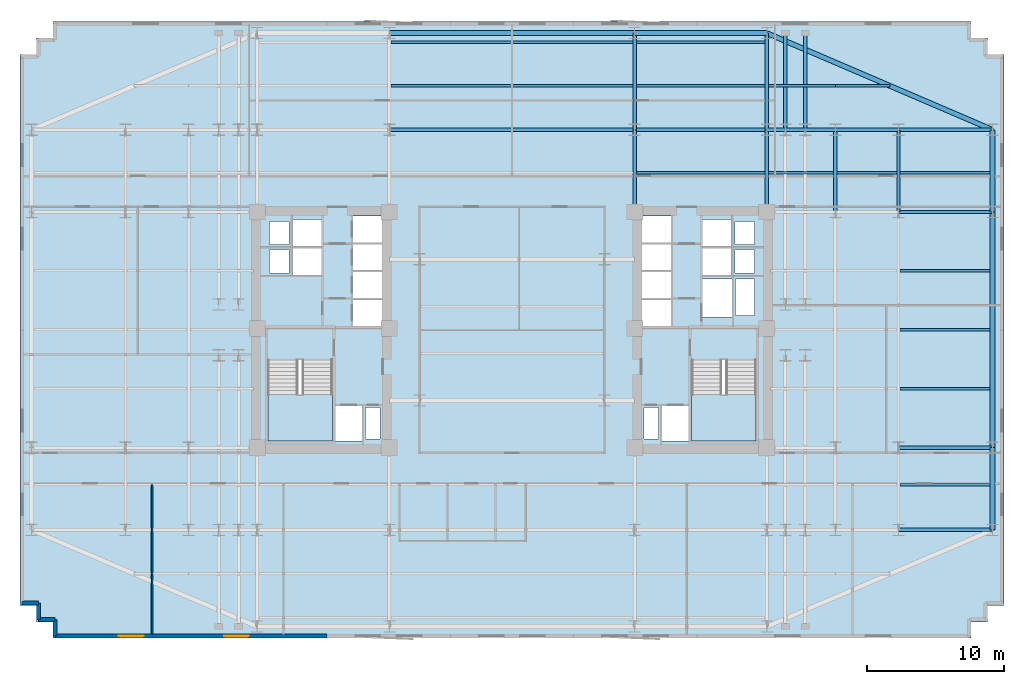
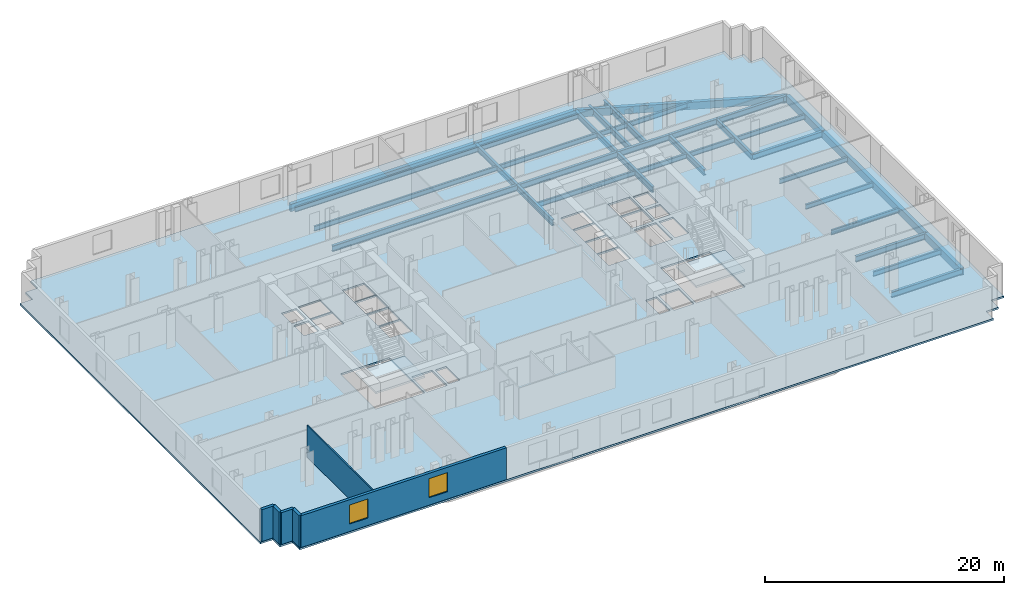
# One storey, part 3 of 10: 36 beams, 6 walls, 3 slabs, 2 windows, 2 openings, 2 elements without a shape of their own.
"""IFC4 building model written with IfcOpenShell, lengths in metres."""

from ifc_helpers import new_model, si_unit, direction, frame, frame_2d, origin, origin_2d, place, context, subcontext, project, spatial, polyline, rectangle, i_section, outline, extrude, material, layer, layer_set, material_profile, profile_set, type_object, element, fill, aggregate, save


model = new_model("IFC4")

# Units and contexts
model_context = context("Model", 3, precision=1e-05, world=origin(), true_north=direction((0.0, 1.0)))
body_context = subcontext(model_context, "Body", "Model", "MODEL_VIEW")
ifc_project = project(units=[si_unit("LENGTHUNIT", "METRE"), si_unit("AREAUNIT", "SQUARE_METRE"), si_unit("VOLUMEUNIT", "CUBIC_METRE"), si_unit("PLANEANGLEUNIT", "RADIAN"), si_unit("MASSUNIT", "GRAM", prefix="KILO")], contexts=[model_context])

# Site, building, storey
site_placement = place(None, origin())
site = spatial("IfcSite", under=ifc_project, at=site_placement, CompositionType="ELEMENT")
building_placement = place(site_placement, origin())
building = spatial("IfcBuilding", under=site, at=building_placement, Name="Velakula Bourse", CompositionType="ELEMENT")
storey_placement = place(building_placement, frame((0.0, 0.0, 51.89990234375)))
storey = spatial("IfcBuildingStorey", under=building, at=storey_placement, Name="L13", CompositionType="ELEMENT", Elevation=51.89990234375)

# Beams
ifc_material_1 = material(Name="Steel IS 2062 Grade 350 (E350)", Category="steel")
ifc_material_profile_1 = material_profile(ifc_material_1, i_section(OverallWidth=0.25, OverallDepth=0.60009765625, WebThickness=0.01171875, FlangeThickness=0.023681640625, at=origin_2d()), Name="Steel IS 2062 Grade 350 (E350)")
ifc_profile_set_1 = profile_set([ifc_material_profile_1], Name="Steel IS 2062 Grade 350 (E350)")
beam_type_1 = type_object("IfcBeamType", Name="BM-GRD-600H", PredefinedType="BEAM", material=ifc_profile_set_1)
for number, where, z_axis, x_axis, name in (
    (1, (8.949951171875, 8.60009765625, -0.47998046875), (0.0, 1.0, 0.0), (-1.0, 0.0, 0.0), "L13 Fulcrum Grid Girder FLC-ECN"),
    (2, (18.60009765625, 8.60009765625, -0.47998046875), (0.0, 1.0, 0.0), (-1.0, 0.0, 0.0), "L13 Fulcrum Grid Girder FLC-EN"),
):
    element("IfcBeam", number, at=place(storey_placement, frame(where, z_axis=z_axis, x_axis=x_axis)), inside=storey, type_object=beam_type_1, Name=name, PredefinedType="BEAM", context=body_context, shape_type="SweptSolid", body=[
        extrude(i_section(OverallWidth=0.25, OverallDepth=0.60009765625, WebThickness=0.01171875, FlangeThickness=0.023681640625, at=origin_2d()), origin(), (0.0, 0.0, 1.0), 6.0),
    ])
beam_1_placement = place(storey_placement, frame((-8.949951171875, 14.60009765625, -0.47998046875), z_axis=(1.0, 0.0, 0.0), x_axis=(0.0, 1.0, 0.0)))
element("IfcBeam", 3, at=beam_1_placement, inside=storey, type_object=beam_type_1, Name="L13 Fulcrum Grid Girder FLC-N2", PredefinedType="BEAM", context=body_context, shape_type="SweptSolid", body=[
    extrude(i_section(OverallWidth=0.25, OverallDepth=0.60009765625, WebThickness=0.01171875, FlangeThickness=0.023681640625, at=origin_2d()), origin(), (0.0, 0.0, 1.0), 17.89990234375),
])
beam_2_placement = place(storey_placement, frame((8.949951171875, 14.60009765625, -0.47998046875), z_axis=(1.0, 0.0, 0.0), x_axis=(0.0, 1.0, 0.0)))
element("IfcBeam", 4, at=beam_2_placement, inside=storey, type_object=beam_type_1, Name="L13 Fulcrum Grid Girder FLC-N3", PredefinedType="BEAM", context=body_context, shape_type="SweptSolid", body=[
    extrude(i_section(OverallWidth=0.25, OverallDepth=0.60009765625, WebThickness=0.01171875, FlangeThickness=0.023681640625, at=origin_2d()), origin(), (0.0, 0.0, 1.0), 9.650146484375),
])
beam_3_placement = place(storey_placement, frame((18.60009765625, 14.60009765625, -0.47998046875), z_axis=(1.0, 0.0, 0.0), x_axis=(0.0, 1.0, 0.0)))
element("IfcBeam", 5, at=beam_3_placement, inside=storey, type_object=beam_type_1, Name="L13 Fulcrum Grid Girder MWG-EN2", PredefinedType="BEAM", context=body_context, shape_type="SweptSolid", body=[
    extrude(i_section(OverallWidth=0.25, OverallDepth=0.60009765625, WebThickness=0.01171875, FlangeThickness=0.023681640625, at=origin_2d()), origin(), (0.0, 0.0, 1.0), 5.0),
])
beam_4_placement = place(storey_placement, frame((23.60009765625, 8.60009765625, -0.47998046875), z_axis=(0.0, 1.0, 0.0), x_axis=(-1.0, 0.0, 0.0)))
element("IfcBeam", 6, at=beam_4_placement, inside=storey, type_object=beam_type_1, Name="L13 Fulcrum Grid Girder MWG-ENS3", PredefinedType="BEAM", context=body_context, shape_type="SweptSolid", body=[
    extrude(i_section(OverallWidth=0.25, OverallDepth=0.60009765625, WebThickness=0.01171875, FlangeThickness=0.023681640625, at=origin_2d()), origin(), (0.0, 0.0, 1.0), 6.0),
])
beam_5_placement = place(storey_placement, frame((23.60009765625, 14.60009765625, -0.47998046875), z_axis=(1.0, 0.0, 0.0), x_axis=(0.0, 1.0, 0.0)))
element("IfcBeam", 7, at=beam_5_placement, inside=storey, type_object=beam_type_1, Name="L13 Fulcrum Grid Girder WNG-EN2", PredefinedType="BEAM", context=body_context, shape_type="SweptSolid", body=[
    extrude(i_section(OverallWidth=0.25, OverallDepth=0.60009765625, WebThickness=0.01171875, FlangeThickness=0.023681640625, at=origin_2d()), origin(), (0.0, 0.0, 1.0), 4.599853515625),
])
beam_6_placement = place(storey_placement, frame((28.199951171875, 8.60009765625, -0.47998046875), z_axis=(0.0, 1.0, 0.0), x_axis=(-1.0, 0.0, 0.0)))
element("IfcBeam", 8, at=beam_6_placement, inside=storey, type_object=beam_type_1, Name="L13 Fulcrum Grid Girder WNG-ENS3", PredefinedType="BEAM", context=body_context, shape_type="SweptSolid", body=[
    extrude(i_section(OverallWidth=0.25, OverallDepth=0.60009765625, WebThickness=0.01171875, FlangeThickness=0.023681640625, at=origin_2d()), origin(), (0.0, 0.0, 1.0), 6.0),
])
for number, where, z_axis, x_axis, name in (
    (9, (8.949951171875, 14.60009765625, -0.47998046875), (0.0, 1.0, 0.0), (-1.0, 0.0, 0.0), "L13 Perimeter Tie Girder N3"),
    (10, (18.60009765625, 14.60009765625, -0.47998046875), (0.0, 1.0, 0.0), (-1.0, 0.0, 0.0), "L13 Perimeter Tie Girder N4"),
):
    element("IfcBeam", number, at=place(storey_placement, frame(where, z_axis=z_axis, x_axis=x_axis)), inside=storey, type_object=beam_type_1, Name=name, PredefinedType="BEAM", context=body_context, shape_type="SweptSolid", body=[
        extrude(i_section(OverallWidth=0.25, OverallDepth=0.60009765625, WebThickness=0.01171875, FlangeThickness=0.023681640625, at=origin_2d()), origin(), (0.0, 0.0, 1.0), 7.0498046875),
    ])
for number, where, z_axis, x_axis, name in (
    (11, (28.199951171875, -14.60009765625, -0.47998046875), (1.0, 0.0, 0.0), (0.0, 1.0, 0.0), "L13 Perimeter Tie Girder E1"),
    (12, (28.199951171875, -8.60009765625, -0.47998046875), (1.0, 0.0, 0.0), (0.0, 1.0, 0.0), "L13 Perimeter Tie Girder E2"),
    (13, (28.199951171875, 8.60009765625, -0.47998046875), (1.0, 0.0, 0.0), (0.0, 1.0, 0.0), "L13 Perimeter Tie Girder E3"),
    (14, (28.199951171875, 14.60009765625, -0.47998046875), (1.0, 0.0, 0.0), (0.0, 1.0, 0.0), "L13 Perimeter Tie Girder E4"),
):
    element("IfcBeam", number, at=place(storey_placement, frame(where, z_axis=z_axis, x_axis=x_axis)), inside=storey, type_object=beam_type_1, Name=name, PredefinedType="BEAM", context=body_context, shape_type="SweptSolid", body=[
        extrude(i_section(OverallWidth=0.25, OverallDepth=0.60009765625, WebThickness=0.01171875, FlangeThickness=0.023681640625, at=origin_2d()), origin(), (0.0, 0.0, 1.0), 6.85009765625),
    ])
for number, where, z_axis, x_axis, name in (
    (15, (19.949951171875, 14.60009765625, -0.47998046875), (0.0, 1.0, 0.0), (-1.0, 0.0, 0.0), "L13 Perimeter Tie Girder P07"),
    (16, (21.39990234375, 14.60009765625, -0.47998046875), (0.0, 1.0, 0.0), (-1.0, 0.0, 0.0), "L13 Perimeter Tie Girder P08"),
):
    element("IfcBeam", number, at=place(storey_placement, frame(where, z_axis=z_axis, x_axis=x_axis)), inside=storey, type_object=beam_type_1, Name=name, PredefinedType="BEAM", context=body_context, shape_type="SweptSolid", body=[
        extrude(i_section(OverallWidth=0.25, OverallDepth=0.60009765625, WebThickness=0.01171875, FlangeThickness=0.023681640625, at=origin_2d()), origin(), (0.0, 0.0, 1.0), 7.0498046875),
    ])
ifc_material_profile_2 = material_profile(ifc_material_1, i_section(OverallWidth=0.179931640625, OverallDepth=0.5, WebThickness=0.01025390625, FlangeThickness=0.01708984375, at=origin_2d()), Name="Steel IS 2062 Grade 350 (E350)")
ifc_profile_set_2 = profile_set([ifc_material_profile_2], Name="Steel IS 2062 Grade 350 (E350)")
beam_type_2 = type_object("IfcBeamType", Name="JST-TWR-500", PredefinedType="JOIST", material=ifc_profile_set_2)
beam_7_placement = place(storey_placement, frame((28.324951171875, -11.300048828125, -0.429931640625), z_axis=(1.0, 0.0, 0.0), x_axis=(0.0, 1.0, 0.0)))
element("IfcBeam", 17, at=beam_7_placement, inside=storey, type_object=beam_type_2, Name="L13 Trading Floor Composite Joist 19", PredefinedType="JOIST", context=body_context, shape_type="SweptSolid", body=[
    extrude(i_section(OverallWidth=0.179931640625, OverallDepth=0.5, WebThickness=0.01025390625, FlangeThickness=0.01708984375, at=origin_2d()), origin(), (0.0, 0.0, 1.0), 6.550048828125),
])
beam_8_placement = place(storey_placement, frame((9.074951171875, 11.449951171875, -0.429931640625), z_axis=(1.0, 0.0, 0.0), x_axis=(0.0, 1.0, 0.0)))
element("IfcBeam", 18, at=beam_8_placement, inside=storey, type_object=beam_type_2, Name="L13 Trading Floor Composite Joist 25", PredefinedType="JOIST", context=body_context, shape_type="SweptSolid", body=[
    extrude(i_section(OverallWidth=0.179931640625, OverallDepth=0.5, WebThickness=0.01025390625, FlangeThickness=0.01708984375, at=origin_2d()), origin(), (0.0, 0.0, 1.0), 9.400146484375),
])
beam_9_placement = place(storey_placement, frame((18.72509765625, 11.449951171875, -0.429931640625), z_axis=(1.0, 0.0, 0.0), x_axis=(0.0, 1.0, 0.0)))
element("IfcBeam", 19, at=beam_9_placement, inside=storey, type_object=beam_type_2, Name="L13 Trading Floor Composite Joist 26", PredefinedType="JOIST", context=body_context, shape_type="SweptSolid", body=[
    extrude(i_section(OverallWidth=0.179931640625, OverallDepth=0.5, WebThickness=0.01025390625, FlangeThickness=0.01708984375, at=origin_2d()), origin(), (0.0, 0.0, 1.0), 4.75),
])
beam_10_placement = place(storey_placement, frame((23.72509765625, 11.449951171875, -0.429931640625), z_axis=(1.0, 0.0, 0.0), x_axis=(0.0, 1.0, 0.0)))
element("IfcBeam", 20, at=beam_10_placement, inside=storey, type_object=beam_type_2, Name="L13 Trading Floor Composite Joist 27", PredefinedType="JOIST", context=body_context, shape_type="SweptSolid", body=[
    extrude(i_section(OverallWidth=0.179931640625, OverallDepth=0.5, WebThickness=0.01025390625, FlangeThickness=0.01708984375, at=origin_2d()), origin(), (0.0, 0.0, 1.0), 4.349853515625),
])
beam_11_placement = place(storey_placement, frame((28.324951171875, 11.449951171875, -0.429931640625), z_axis=(1.0, 0.0, 0.0), x_axis=(0.0, 1.0, 0.0)))
element("IfcBeam", 21, at=beam_11_placement, inside=storey, type_object=beam_type_2, Name="L13 Trading Floor Composite Joist 28", PredefinedType="JOIST", context=body_context, shape_type="SweptSolid", body=[
    extrude(i_section(OverallWidth=0.179931640625, OverallDepth=0.5, WebThickness=0.01025390625, FlangeThickness=0.01708984375, at=origin_2d()), origin(), (0.0, 0.0, 1.0), 6.550048828125),
])
beam_12_placement = place(storey_placement, frame((-8.824951171875, 17.800048828125, -0.429931640625), z_axis=(1.0, 0.0, 0.0), x_axis=(0.0, 1.0, 0.0)))
element("IfcBeam", 22, at=beam_12_placement, inside=storey, type_object=beam_type_2, Name="L13 Trading Floor Composite Joist 32", PredefinedType="JOIST", context=body_context, shape_type="SweptSolid", body=[
    extrude(i_section(OverallWidth=0.179931640625, OverallDepth=0.5, WebThickness=0.01025390625, FlangeThickness=0.01708984375, at=origin_2d()), origin(), (0.0, 0.0, 1.0), 17.64990234375),
])
beam_13_placement = place(storey_placement, frame((9.074951171875, 17.800048828125, -0.429931640625), z_axis=(1.0, 0.0, 0.0), x_axis=(0.0, 1.0, 0.0)))
element("IfcBeam", 23, at=beam_13_placement, inside=storey, type_object=beam_type_2, Name="L13 Trading Floor Composite Joist 33", PredefinedType="JOIST", context=body_context, shape_type="SweptSolid", body=[
    extrude(i_section(OverallWidth=0.179931640625, OverallDepth=0.5, WebThickness=0.01025390625, FlangeThickness=0.01708984375, at=origin_2d()), origin(), (0.0, 0.0, 1.0), 9.400146484375),
])
beam_14_placement = place(storey_placement, frame((18.72509765625, 17.800048828125, -0.429931640625), z_axis=(1.0, 0.0, 0.0), x_axis=(0.0, 1.0, 0.0)))
element("IfcBeam", 24, at=beam_14_placement, inside=storey, type_object=beam_type_2, Name="L13 Trading Floor Composite Joist 34", PredefinedType="JOIST", context=body_context, shape_type="SweptSolid", body=[
    extrude(i_section(OverallWidth=0.179931640625, OverallDepth=0.5, WebThickness=0.01025390625, FlangeThickness=0.01708984375, at=origin_2d()), origin(), (0.0, 0.0, 1.0), 4.875),
])
beam_15_placement = place(storey_placement, frame((23.60009765625, 17.800048828125, -0.429931640625), z_axis=(1.0, 0.0, 0.0), x_axis=(0.0, 1.0, 0.0)))
element("IfcBeam", 25, at=beam_15_placement, inside=storey, type_object=beam_type_2, Name="L13 Trading Floor Composite Joist 35", PredefinedType="JOIST", context=body_context, shape_type="SweptSolid", body=[
    extrude(i_section(OverallWidth=0.179931640625, OverallDepth=0.5, WebThickness=0.01025390625, FlangeThickness=0.01708984375, at=origin_2d()), origin(), (0.0, 0.0, 1.0), 3.983154296875),
])
beam_16_placement = place(storey_placement, frame((-8.824951171875, 21.0, -0.429931640625), z_axis=(1.0, 0.0, 0.0), x_axis=(0.0, 1.0, 0.0)))
element("IfcBeam", 26, at=beam_16_placement, inside=storey, type_object=beam_type_2, Name="L13 Trading Floor Composite Joist 37", PredefinedType="JOIST", context=body_context, shape_type="SweptSolid", body=[
    extrude(i_section(OverallWidth=0.179931640625, OverallDepth=0.5, WebThickness=0.01025390625, FlangeThickness=0.01708984375, at=origin_2d()), origin(), (0.0, 0.0, 1.0), 17.64990234375),
])
beam_17_placement = place(storey_placement, frame((9.074951171875, 21.0, -0.429931640625), z_axis=(1.0, 0.0, 0.0), x_axis=(0.0, 1.0, 0.0)))
element("IfcBeam", 27, at=beam_17_placement, inside=storey, type_object=beam_type_2, Name="L13 Trading Floor Composite Joist 38", PredefinedType="JOIST", context=body_context, shape_type="SweptSolid", body=[
    extrude(i_section(OverallWidth=0.179931640625, OverallDepth=0.5, WebThickness=0.01025390625, FlangeThickness=0.01708984375, at=origin_2d()), origin(), (0.0, 0.0, 1.0), 9.400146484375),
])
for number, where, z_axis, x_axis, name in (
    (28, (28.324951171875, -4.300048828125, -0.429931640625), (1.0, 0.0, 0.0), (0.0, 1.0, 0.0), "L13 Trading Floor Composite Joist 46"),
    (29, (28.324951171875, 0.0, -0.429931640625), (1.0, 0.0, 0.0), (0.0, 1.0, 0.0), "L13 Trading Floor Composite Joist 52"),
    (30, (28.324951171875, 4.300048828125, -0.429931640625), (1.0, 0.0, 0.0), (0.0, 1.0, 0.0), "L13 Trading Floor Composite Joist 58"),
):
    element("IfcBeam", number, at=place(storey_placement, frame(where, z_axis=z_axis, x_axis=x_axis)), inside=storey, type_object=beam_type_2, Name=name, PredefinedType="JOIST", context=body_context, shape_type="SweptSolid", body=[
        extrude(i_section(OverallWidth=0.179931640625, OverallDepth=0.5, WebThickness=0.01025390625, FlangeThickness=0.01708984375, at=origin_2d()), origin(), (0.0, 0.0, 1.0), 6.550048828125),
    ])
ifc_material_2 = material(Name="Precast concrete M45 (fck 45 MPa)", Category="concrete")
ifc_material_profile_3 = material_profile(ifc_material_2, rectangle(XDim=0.35009765625, YDim=0.75, at=origin_2d()), Name="Precast concrete M45 (fck 45 MPa)")
ifc_profile_set_3 = profile_set([ifc_material_profile_3], Name="Precast concrete M45 (fck 45 MPa)")
beam_type_3 = type_object("IfcBeamType", Name="SPN-BRICK-750", PredefinedType="SPANDREL", material=ifc_profile_set_3)
beam_18_placement = place(storey_placement, frame((-8.949951171875, 21.64990234375, -0.554931640625), z_axis=(1.0, 0.0, 0.0), x_axis=(0.0, 1.0, 0.0)))
element("IfcBeam", 31, at=beam_18_placement, inside=storey, type_object=beam_type_3, Name="L13 Brick-Faced Precast Spandrel N2-N3", PredefinedType="SPANDREL", context=body_context, shape_type="SweptSolid", body=[
    extrude(rectangle(XDim=0.35009765625, YDim=0.75, at=origin_2d()), origin(), (0.0, 0.0, 1.0), 17.89990234375),
])
beam_19_placement = place(storey_placement, frame((8.949951171875, 21.64990234375, -0.554931640625), z_axis=(1.0, 0.0, 0.0), x_axis=(0.0, 1.0, 0.0)))
element("IfcBeam", 32, at=beam_19_placement, inside=storey, type_object=beam_type_3, Name="L13 Brick-Faced Precast Spandrel N3-N4", PredefinedType="SPANDREL", context=body_context, shape_type="SweptSolid", body=[
    extrude(rectangle(XDim=0.35009765625, YDim=0.75, at=origin_2d()), origin(), (0.0, 0.0, 1.0), 9.650146484375),
])
beam_20_placement = place(storey_placement, frame((35.050048828125, -14.60009765625, -0.554931640625), z_axis=(0.0, 1.0, 0.0), x_axis=(-1.0, 0.0, 0.0)))
element("IfcBeam", 33, at=beam_20_placement, inside=storey, type_object=beam_type_3, Name="L13 Brick-Faced Precast Spandrel E1-E2", PredefinedType="SPANDREL", context=body_context, shape_type="SweptSolid", body=[
    extrude(rectangle(XDim=0.35009765625, YDim=0.75, at=origin_2d()), origin(), (0.0, 0.0, 1.0), 6.0),
])
beam_21_placement = place(storey_placement, frame((35.050048828125, -8.60009765625, -0.554931640625), z_axis=(0.0, 1.0, 0.0), x_axis=(-1.0, 0.0, 0.0)))
element("IfcBeam", 34, at=beam_21_placement, inside=storey, type_object=beam_type_3, Name="L13 Brick-Faced Precast Spandrel E2-E3", PredefinedType="SPANDREL", context=body_context, shape_type="SweptSolid", body=[
    extrude(rectangle(XDim=0.35009765625, YDim=0.75, at=origin_2d()), origin(), (0.0, 0.0, 1.0), 17.2001953125),
])
beam_22_placement = place(storey_placement, frame((35.050048828125, 8.60009765625, -0.554931640625), z_axis=(0.0, 1.0, 0.0), x_axis=(-1.0, 0.0, 0.0)))
element("IfcBeam", 35, at=beam_22_placement, inside=storey, type_object=beam_type_3, Name="L13 Brick-Faced Precast Spandrel E3-E4", PredefinedType="SPANDREL", context=body_context, shape_type="SweptSolid", body=[
    extrude(rectangle(XDim=0.35009765625, YDim=0.75, at=origin_2d()), origin(), (0.0, 0.0, 1.0), 6.0),
])
beam_23_placement = place(storey_placement, frame((35.050048828125, 14.60009765625, -0.554931640625), z_axis=(-0.919148557947, 0.393911066642, 0.0), x_axis=(-0.393911066642, -0.919148557947, 0.0)))
element("IfcBeam", 36, at=beam_23_placement, inside=storey, type_object=beam_type_3, Name="L13 Brick-Faced Precast Spandrel E4-N4", PredefinedType="SPANDREL", context=body_context, shape_type="SweptSolid", body=[
    extrude(rectangle(XDim=0.35009765625, YDim=0.75, at=origin_2d()), origin(), (0.0, 0.0, 1.0), 17.89697265625),
])

# Stair, slab
ifc_material_3 = material(Name="Concrete M45 (fck 45 MPa)", Category="concrete")
stair_type = type_object("IfcStairType", Name="STR-DOG-390", PredefinedType="HALF_TURN_STAIR", material=ifc_material_3)
stair_1_placement = place(storey_placement, origin())
stair_1 = element("IfcStair", 37, at=stair_1_placement, inside=storey, type_object=stair_type, Name="L13 West Core Exit Stair ST-W1", PredefinedType="HALF_TURN_STAIR")
ifc_layer_1 = layer(ifc_material_3, 0.199951171875, Name="Concrete M45 (fck 45 MPa)", Category="concrete")
ifc_layer_set_1 = layer_set([ifc_layer_1], Name="Concrete M45 (fck 45 MPa)")
slab_type_1 = type_object("IfcSlabType", Name="SLB-STAIR-LND-200", PredefinedType="LANDING", material=ifc_layer_set_1)
slab_1_placement = place(storey_placement, frame((0.0, 0.0, 1.525146484375)))
slab_1 = element("IfcSlab", 38, at=slab_1_placement, type_object=slab_type_1, Name="ST-W1 landing 1", PredefinedType="LANDING", context=body_context, shape_type="SweptSolid", body=[
    extrude(outline(polyline([(-17.820068359375, -4.719970703125), (-17.820068359375, -8.10009765625), (-13.10009765625, -8.10009765625), (-13.10009765625, -4.719970703125), (-17.820068359375, -4.719970703125)])), origin(), (0.0, 0.0, 1.0), 0.199951171875),
])
aggregate(stair_1, [slab_1])

stair_2_placement = place(storey_placement, origin())
stair_2 = element("IfcStair", 39, at=stair_2_placement, inside=storey, type_object=stair_type, Name="L13 East Core Exit Stair ST-E1", PredefinedType="HALF_TURN_STAIR")
slab_2_placement = place(storey_placement, frame((0.0, 0.0, 1.525146484375)))
slab_2 = element("IfcSlab", 40, at=slab_2_placement, type_object=slab_type_1, Name="ST-E1 landing 1", PredefinedType="LANDING", context=body_context, shape_type="SweptSolid", body=[
    extrude(outline(polyline([(13.10009765625, -4.719970703125), (13.10009765625, -8.10009765625), (17.820068359375, -8.10009765625), (17.820068359375, -4.719970703125), (13.10009765625, -4.719970703125)])), origin(), (0.0, 0.0, 1.0), 0.199951171875),
])
aggregate(stair_2, [slab_2])

# Slab
ifc_material_4 = material(Name="Concrete M50 (fck 50 MPa)", Category="concrete")
ifc_layer_2 = layer(ifc_material_4, 0.179931640625, Name="Concrete M50 (fck 50 MPa)", Category="concrete")
ifc_layer_set_2 = layer_set([ifc_layer_2], Name="Concrete M50 (fck 50 MPa)")
slab_type_2 = type_object("IfcSlabType", Name="SLB-TWR-180", PredefinedType="FLOOR", material=ifc_layer_set_2)
slab_3_placement = place(storey_placement, frame((0.0, 0.0, -0.179931640625)))
element("IfcSlab", 41, at=slab_3_placement, inside=storey, type_object=slab_type_2, Name="L13 Suspended Structural Floor Slab", PredefinedType="FLOOR", context=body_context, shape_type="SweptSolid", body=[
    extrude(outline(polyline([(-33.5, -22.5), (33.5, -22.5), (33.5, -21.300048828125), (34.699951171875, -21.300048828125), (34.699951171875, -20.10009765625), (35.89990234375, -20.10009765625), (35.89990234375, 20.10009765625), (34.699951171875, 20.10009765625), (34.699951171875, 21.300048828125), (33.5, 21.300048828125), (33.5, 22.5), (-33.5, 22.5), (-33.5, 21.300048828125), (-34.699951171875, 21.300048828125), (-34.699951171875, 20.10009765625), (-35.89990234375, 20.10009765625), (-35.89990234375, -20.10009765625), (-34.699951171875, -20.10009765625), (-34.699951171875, -21.300048828125), (-33.5, -21.300048828125), (-33.5, -22.5)]), holes=[polyline([(-17.820068359375, -8.10009765625), (-13.10009765625, -8.10009765625), (-13.10009765625, -2.199951171875), (-17.820068359375, -2.199951171875), (-17.820068359375, -8.10009765625)]), polyline([(13.10009765625, -8.10009765625), (17.820068359375, -8.10009765625), (17.820068359375, -2.199951171875), (13.10009765625, -2.199951171875), (13.10009765625, -8.10009765625)]), polyline([(-12.89990234375, -8.10009765625), (-10.949951171875, -8.10009765625), (-10.949951171875, -5.550048828125), (-12.89990234375, -5.550048828125), (-12.89990234375, -8.10009765625)]), polyline([(10.949951171875, -8.10009765625), (12.89990234375, -8.10009765625), (12.89990234375, -5.550048828125), (10.949951171875, -5.550048828125), (10.949951171875, -8.10009765625)]), polyline([(13.89990234375, 0.919921875), (16.050048828125, 0.919921875), (16.050048828125, 3.719970703125), (13.89990234375, 3.719970703125), (13.89990234375, 0.919921875)]), polyline([(-10.679931640625, -7.97998046875), (-9.6201171875, -7.97998046875), (-9.6201171875, -5.669921875), (-10.679931640625, -5.669921875), (-10.679931640625, -7.97998046875)]), polyline([(-17.679931640625, 4.139892578125), (-16.27001953125, 4.139892578125), (-16.27001953125, 5.85009765625), (-17.679931640625, 5.85009765625), (-17.679931640625, 4.139892578125)]), polyline([(-17.679931640625, 6.2099609375), (-16.27001953125, 6.2099609375), (-16.27001953125, 7.919921875), (-17.679931640625, 7.919921875), (-17.679931640625, 6.2099609375)]), polyline([(9.6201171875, -7.97998046875), (10.679931640625, -7.97998046875), (10.679931640625, -5.669921875), (9.6201171875, -5.669921875), (9.6201171875, -7.97998046875)]), polyline([(16.27001953125, 4.139892578125), (17.679931640625, 4.139892578125), (17.679931640625, 5.85009765625), (16.27001953125, 5.85009765625), (16.27001953125, 4.139892578125)]), polyline([(16.27001953125, 6.2099609375), (17.679931640625, 6.2099609375), (17.679931640625, 7.919921875), (16.27001953125, 7.919921875), (16.27001953125, 6.2099609375)]), polyline([(16.320068359375, 1.0400390625), (17.679931640625, 1.0400390625), (17.679931640625, 3.699951171875), (16.320068359375, 3.699951171875), (16.320068359375, 1.0400390625)]), polyline([(-11.60009765625, 0.280029296875), (-9.5, 0.280029296875), (-9.5, 2.199951171875), (-11.60009765625, 2.199951171875), (-11.60009765625, 0.280029296875)]), polyline([(-11.60009765625, 2.31005859375), (-9.5, 2.31005859375), (-9.5, 4.22998046875), (-11.60009765625, 4.22998046875), (-11.60009765625, 2.31005859375)]), polyline([(-11.60009765625, 4.340087890625), (-9.5, 4.340087890625), (-9.5, 6.260009765625), (-11.60009765625, 6.260009765625), (-11.60009765625, 4.340087890625)]), polyline([(-11.60009765625, 6.3701171875), (-9.5, 6.3701171875), (-9.5, 8.2900390625), (-11.60009765625, 8.2900390625), (-11.60009765625, 6.3701171875)]), polyline([(9.5, 0.280029296875), (11.60009765625, 0.280029296875), (11.60009765625, 2.199951171875), (9.5, 2.199951171875), (9.5, 0.280029296875)]), polyline([(9.5, 2.31005859375), (11.60009765625, 2.31005859375), (11.60009765625, 4.22998046875), (9.5, 4.22998046875), (9.5, 2.31005859375)]), polyline([(9.5, 4.340087890625), (11.60009765625, 4.340087890625), (11.60009765625, 6.260009765625), (9.5, 6.260009765625), (9.5, 4.340087890625)]), polyline([(9.5, 6.3701171875), (11.60009765625, 6.3701171875), (11.60009765625, 8.2900390625), (9.5, 8.2900390625), (9.5, 6.3701171875)]), polyline([(-16.0, 4.02001953125), (-13.89990234375, 4.02001953125), (-13.89990234375, 5.969970703125), (-16.0, 5.969970703125), (-16.0, 4.02001953125)]), polyline([(-16.0, 6.090087890625), (-13.89990234375, 6.090087890625), (-13.89990234375, 8.0400390625), (-16.0, 8.0400390625), (-16.0, 6.090087890625)]), polyline([(13.89990234375, 4.02001953125), (16.0, 4.02001953125), (16.0, 5.969970703125), (13.89990234375, 5.969970703125), (13.89990234375, 4.02001953125)]), polyline([(13.89990234375, 6.090087890625), (16.0, 6.090087890625), (16.0, 8.0400390625), (13.89990234375, 8.0400390625), (13.89990234375, 6.090087890625)])]), origin(), (0.0, 0.0, 1.0), 0.179931640625),
])

# Wall, openings, windows
ifc_material_5 = material(Name="Red kilned clay facing brick masonry", Category="masonry")
ifc_layer_3 = layer(ifc_material_5, 0.280029296875, Name="Red kilned clay facing brick masonry", Category="masonry")
ifc_layer_set_3 = layer_set([ifc_layer_3], Name="Red kilned clay facing brick masonry")
wall_type_1 = type_object("IfcWallType", Name="WL-EXT-BRK-280", PredefinedType="STANDARD", material=ifc_layer_set_3)
wall_1_placement = place(storey_placement, frame((-13.5, -22.340087890625, 0.0), z_axis=(0.0, 0.0, 1.0), x_axis=(-1.0, 0.0, 0.0)))
wall_1 = element("IfcWall", 42, at=wall_1_placement, inside=storey, type_object=wall_type_1, Name="L13 S Brick Spandrel Wall B1", PredefinedType="STANDARD", context=body_context, shape_type="SweptSolid", body=[
    extrude(rectangle(XDim=19.840087890625, YDim=0.280029296875, at=frame_2d((9.919921875, 0.0))), origin(), (0.0, 0.0, 1.0), 3.25),
])
opening_1_placement = place(wall_1_placement, frame((5.71337890625, 0.0, 0.760009765625)))
opening_1 = element("IfcOpeningElement", 43, at=opening_1_placement, cuts=wall_1, Name="Opening W-01", PredefinedType="OPENING", context=body_context, shape_type="SweptSolid", body=[
    extrude(rectangle(XDim=1.800048828125, YDim=1.949951171875, at=frame_2d((0.89990234375, 0.97509765625))), frame((0.0, 0.14990234375, 0.0), z_axis=(0.0, -1.0, 0.0), x_axis=(1.0, 0.0, 0.0)), (0.0, 0.0, 1.0), 0.300048828125),
])
opening_2_placement = place(wall_1_placement, frame((13.376708984375, 0.0, 0.760009765625)))
opening_2 = element("IfcOpeningElement", 44, at=opening_2_placement, cuts=wall_1, Name="Opening W-01", PredefinedType="OPENING", context=body_context, shape_type="SweptSolid", body=[
    extrude(rectangle(XDim=1.800048828125, YDim=1.949951171875, at=frame_2d((0.89990234375, 0.97509765625))), frame((0.0, 0.14990234375, 0.0), z_axis=(0.0, -1.0, 0.0), x_axis=(1.0, 0.0, 0.0)), (0.0, 0.0, 1.0), 0.300048828125),
])
ifc_material_6 = material(Name="Double-glazed solar-control Low-E glass", Category="glass")
window_type = type_object("IfcWindowType", Name="WIN-TWR-1800x2100", PartitioningType="SINGLE_PANEL", PredefinedType="WINDOW", material=ifc_material_6)
window_1_placement = place(opening_1_placement, origin())
window_1 = element("IfcWindow", 45, at=window_1_placement, inside=storey, type_object=window_type, Name="L13 Deep-Set Recessed Window 1", OverallHeight=1.949951171875, OverallWidth=1.800048828125, PartitioningType="SINGLE_PANEL", PredefinedType="WINDOW", context=body_context, shape_type="SweptSolid", body=[
    extrude(rectangle(XDim=1.800048828125, YDim=1.949951171875, at=frame_2d((0.89990234375, 0.97509765625))), frame((0.0, 0.030029296875, 0.0), z_axis=(0.0, -1.0, 0.0), x_axis=(1.0, 0.0, 0.0)), (0.0, 0.0, 1.0), 0.06005859375),
])
fill(opening_1, window_1)
window_2_placement = place(opening_2_placement, origin())
window_2 = element("IfcWindow", 46, at=window_2_placement, inside=storey, type_object=window_type, Name="L13 Deep-Set Recessed Window 2", OverallHeight=1.949951171875, OverallWidth=1.800048828125, PartitioningType="SINGLE_PANEL", PredefinedType="WINDOW", context=body_context, shape_type="SweptSolid", body=[
    extrude(rectangle(XDim=1.800048828125, YDim=1.949951171875, at=frame_2d((0.89990234375, 0.97509765625))), frame((0.0, 0.030029296875, 0.0), z_axis=(0.0, -1.0, 0.0), x_axis=(1.0, 0.0, 0.0)), (0.0, 0.0, 1.0), 0.06005859375),
])
fill(opening_2, window_2)

# Walls
for number, where, z_axis, x_axis, name in (
    (47, (-35.739990234375, -19.93994140625, 0.0), (0.0, 0.0, 1.0), (1.0, 0.0, 0.0), "L13 Serrated Corner Brick Wall SW-1"),
    (48, (-34.5400390625, -19.93994140625, 0.0), (0.0, 0.0, 1.0), (0.0, -1.0, 0.0), "L13 Serrated Corner Brick Wall SW-2"),
    (49, (-34.5400390625, -21.139892578125, 0.0), (0.0, 0.0, 1.0), (1.0, 0.0, 0.0), "L13 Serrated Corner Brick Wall SW-3"),
):
    element("IfcWall", number, at=place(storey_placement, frame(where, z_axis=z_axis, x_axis=x_axis)), inside=storey, type_object=wall_type_1, Name=name, PredefinedType="STANDARD", context=body_context, shape_type="SweptSolid", body=[
        extrude(rectangle(XDim=1.199951171875, YDim=0.280029296875, at=frame_2d((0.60009765625, 0.0))), origin(), (0.0, 0.0, 1.0), 3.25),
    ])
wall_2_placement = place(storey_placement, frame((-33.340087890625, -21.139892578125, 0.0), z_axis=(0.0, 0.0, 1.0), x_axis=(0.0, -1.0, 0.0)))
element("IfcWall", 50, at=wall_2_placement, inside=storey, type_object=wall_type_1, Name="L13 Serrated Corner Brick Wall SW-4", PredefinedType="STANDARD", context=body_context, shape_type="SweptSolid", body=[
    extrude(rectangle(XDim=1.2001953125, YDim=0.280029296875, at=frame_2d((0.60009765625, 0.0))), origin(), (0.0, 0.0, 1.0), 3.25),
])
ifc_material_7 = material(Name="Fire-rated double-layer gypsum drywall partition", Category="gypsum")
ifc_layer_4 = layer(ifc_material_7, 0.1201171875, Name="Fire-rated double-layer gypsum drywall partition", Category="gypsum")
ifc_layer_set_4 = layer_set([ifc_layer_4], Name="Fire-rated double-layer gypsum drywall partition")
wall_type_2 = type_object("IfcWallType", Name="WL-PART-120", PredefinedType="STANDARD", material=ifc_layer_set_4)
wall_3_placement = place(storey_placement, frame((-26.258056640625, -22.219970703125, 0.0), z_axis=(0.0, 0.0, 1.0), x_axis=(0.0, 1.0, 0.0)))
element("IfcWall", 51, at=wall_3_placement, inside=storey, type_object=wall_type_2, Name="L13 Interior Partition WL-INT-L13-SL-D5", PredefinedType="STANDARD", context=body_context, shape_type="SweptSolid", body=[
    extrude(rectangle(XDim=10.929931640625, YDim=0.1201171875, at=frame_2d((5.46484375, 0.0))), origin(), (0.0, 0.0, 1.0), 3.25),
])

save(model, "model.ifc")
